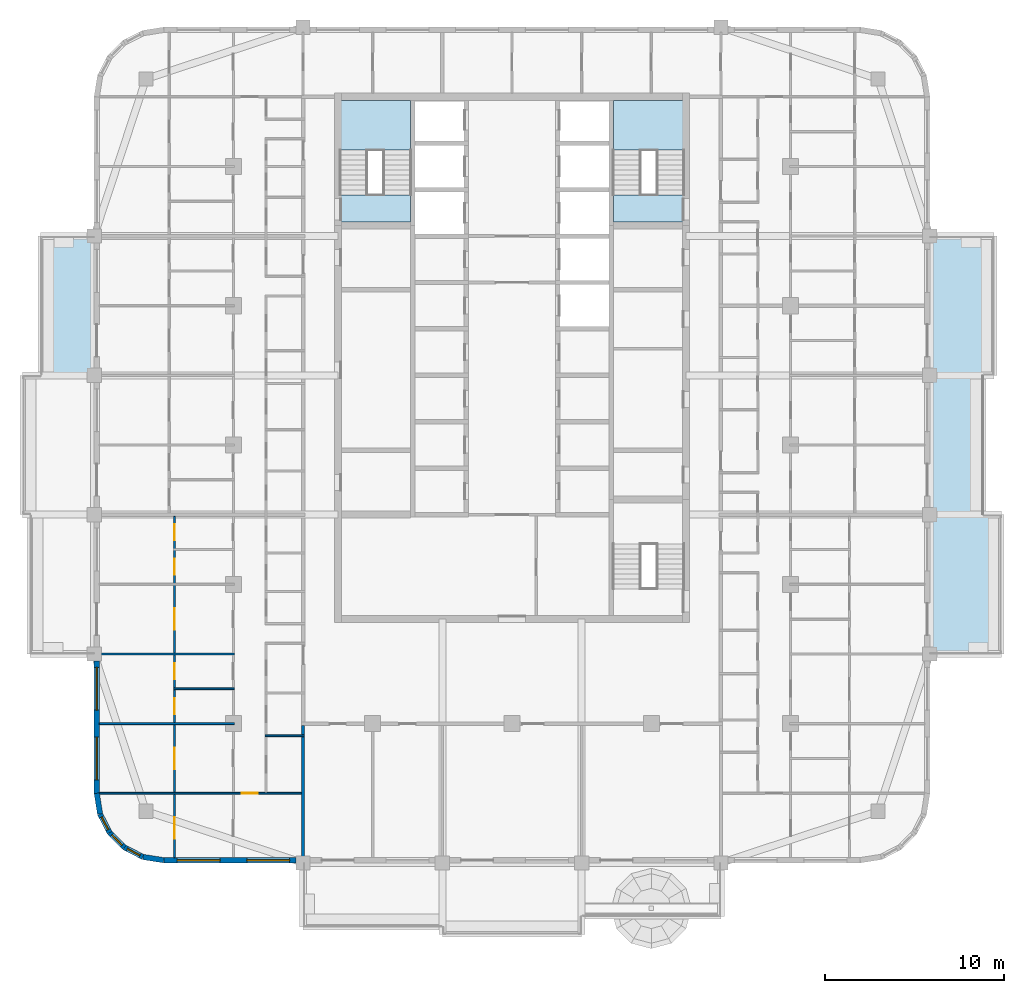
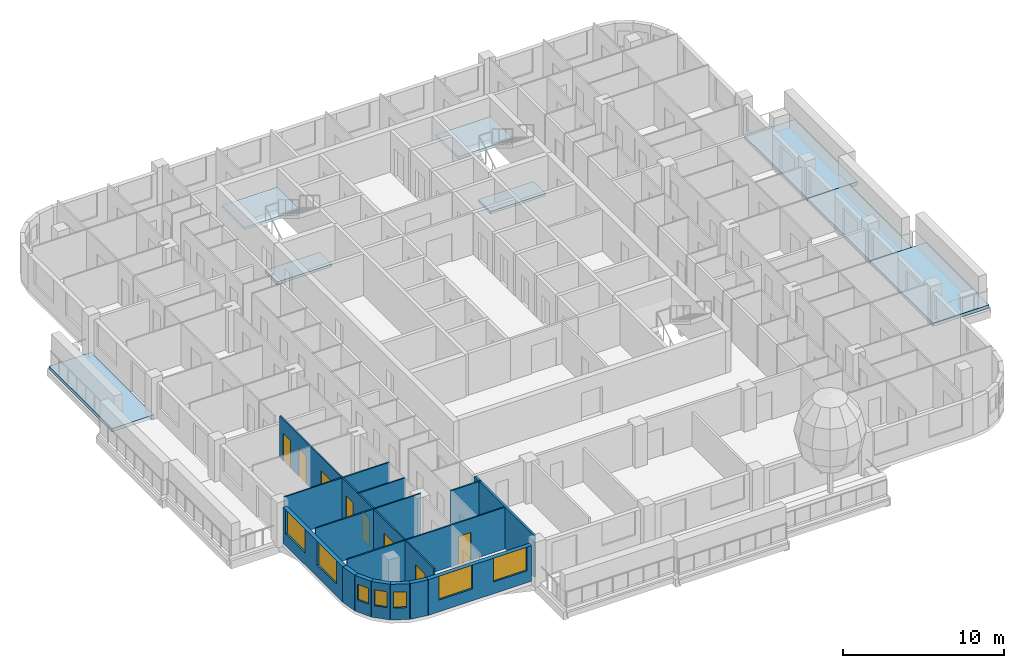
# One storey, part 2 of 17: 14 walls, 8 doors, 8 slabs, 7 windows, 15 openings, 2 elements without a shape of their own.
"""IFC4 building model written with IfcOpenShell, lengths in metres."""

import ifcopenshell
import ifcopenshell.guid

model = None  # the IFC model being written
_history = None  # IfcOwnerHistory: only IFC2X3 demands one
_inside = {}  # id of a spatial element -> (the spatial element, [elements in it])
_under = {}  # id of a project, library or spatial element -> (it, [spatial elements below it])
_declared = {}  # id of a project -> (the project, [libraries it declares])
_typed = {}  # id of a type object -> (the type object, [elements of that type])
_made_of = {}  # id of a material, layer set ... -> (it, [elements and type objects made of it])


def new_model(schema):
    """Start an empty IFC model of exactly this schema.

    Asked for "IFC4X3", IfcOpenShell would pick the latest addendum, in which some entities
    have other attributes; the version numbers below select the first issue.
    IFC2X3 requires an IfcOwnerHistory on every rooted entity: one is made here for all.
    """
    global model, _history
    if schema == "IFC4X3":
        model = ifcopenshell.file(schema_version=(4, 3, 0, 0))
    else:
        model = ifcopenshell.file(schema=schema)
    _inside.clear()
    _under.clear()
    _declared.clear()
    _typed.clear()
    _made_of.clear()
    _history = None
    if model.schema == "IFC2X3":
        org = make("IfcOrganization", Name="unknown")
        user = make(
            "IfcPersonAndOrganization",
            ThePerson=make("IfcPerson", FamilyName="unknown"),
            TheOrganization=org,
        )
        app = make(
            "IfcApplication",
            ApplicationDeveloper=org,
            Version="unknown",
            ApplicationFullName="unknown",
            ApplicationIdentifier="unknown",
        )
        _history = make(
            "IfcOwnerHistory",
            OwningUser=user,
            OwningApplication=app,
            ChangeAction="ADDED",
            CreationDate=0,
        )
    return model


def make(cls, **values):
    """One entity of the class cls with the attributes given. An attribute that is None is left unset."""
    return model.create_entity(
        cls, **{name: value for name, value in values.items() if value is not None}
    )


def rooted(cls, **values):
    """An entity with a GlobalId (a new one), such as an element, a storey or a relation."""
    return make(cls, GlobalId=ifcopenshell.guid.new(), OwnerHistory=_history, **values)


def si_unit(unit_type, name, prefix=None):
    """IfcSIUnit, for example si_unit("LENGTHUNIT", "METRE", prefix="MILLI")."""
    return make("IfcSIUnit", UnitType=unit_type, Prefix=prefix, Name=name)


def assignment(units):
    """IfcUnitAssignment: the units of a project."""
    return None if units is None else make("IfcUnitAssignment", Units=units)


def point(xyz):
    """IfcCartesianPoint."""
    return None if xyz is None else make("IfcCartesianPoint", Coordinates=xyz)


def direction(xyz):
    """IfcDirection."""
    return None if xyz is None else make("IfcDirection", DirectionRatios=xyz)


def frame(location, z_axis=None, x_axis=None):
    """IfcAxis2Placement3D, a coordinate frame: its origin and axes. An axis left out is left unset."""
    return make(
        "IfcAxis2Placement3D",
        Location=point(location),
        Axis=direction(z_axis),
        RefDirection=direction(x_axis),
    )


def frame_2d(location, x_axis=None):
    """IfcAxis2Placement2D, a coordinate frame in the plane: its origin and x axis."""
    return make(
        "IfcAxis2Placement2D", Location=point(location), RefDirection=direction(x_axis)
    )


def origin():
    """The frame at (0, 0, 0) with its axes left unset."""
    return frame((0.0, 0.0, 0.0))


def place(relative_to, where):
    """IfcLocalPlacement: puts the frame where relative to a parent placement (None: the world)."""
    return make(
        "IfcLocalPlacement", PlacementRelTo=relative_to, RelativePlacement=where
    )


def context(
    kind, dimensions, precision=None, world=None, true_north=None, identifier=None
):
    """IfcGeometricRepresentationContext, for example the 3D "Model" context."""
    return make(
        "IfcGeometricRepresentationContext",
        ContextIdentifier=identifier,
        ContextType=kind,
        CoordinateSpaceDimension=dimensions,
        Precision=precision,
        WorldCoordinateSystem=world,
        TrueNorth=true_north,
    )


def subcontext(parent, identifier, kind, view, scale=None):
    """IfcGeometricRepresentationSubContext, for example "Body" below "Model"."""
    return make(
        "IfcGeometricRepresentationSubContext",
        ContextIdentifier=identifier,
        ContextType=kind,
        ParentContext=parent,
        TargetScale=scale,
        TargetView=view,
    )


def project(units=None, contexts=None):
    """IfcProject with its units and contexts."""
    return rooted(
        "IfcProject",
        Name="project",
        RepresentationContexts=contexts,
        UnitsInContext=assignment(units),
    )


def spatial(cls, under=None, at=None, **own):
    """A site, building, storey or space (cls), placed at a placement, below another one or the project."""
    s = rooted(cls, ObjectPlacement=at, **own)
    if under is not None:
        _under.setdefault(under.id(), (under, []))[1].append(s)
    return s


def polyline(points):
    """IfcPolyline through the points."""
    return make("IfcPolyline", Points=[point(p) for p in points])


def profile(cls, at=None, kind="AREA", **sizes):
    """A parametric profile (cls). Its sizes go by their IFC names, for example OverallWidth=200.0."""
    return make(cls, ProfileType=kind, Position=at, **sizes)


def rectangle(**sizes):
    """IfcRectangleProfileDef."""
    return profile("IfcRectangleProfileDef", **sizes)


def outline(outer, holes=None, kind="AREA"):
    """IfcArbitraryClosedProfileDef: a profile drawn as a closed curve; with holes, ...WithVoids."""
    if holes is None:
        return make("IfcArbitraryClosedProfileDef", ProfileType=kind, OuterCurve=outer)
    return make(
        "IfcArbitraryProfileDefWithVoids",
        ProfileType=kind,
        OuterCurve=outer,
        InnerCurves=holes,
    )


def extrude(swept, where, along, depth):
    """IfcExtrudedAreaSolid: the profile swept, set in the frame where, extruded along a direction by depth."""
    return make(
        "IfcExtrudedAreaSolid",
        SweptArea=swept,
        Position=where,
        ExtrudedDirection=direction(along),
        Depth=depth,
    )


def shape(context_of_items, identifier, shape_type, items):
    """IfcShapeRepresentation: the items that make up one representation, for example the "Body"."""
    return make(
        "IfcShapeRepresentation",
        ContextOfItems=context_of_items,
        RepresentationIdentifier=identifier,
        RepresentationType=shape_type,
        Items=items,
    )


def material(Name=None, Category=None):
    """IfcMaterial."""
    return make("IfcMaterial", Name=Name, Category=Category)


def layer(
    of_material, thickness, ventilated=None, Name=None, Category=None, Priority=None
):
    """IfcMaterialLayer: one layer of a wall or slab, of a material (None: an air gap)."""
    return make(
        "IfcMaterialLayer",
        Material=of_material,
        LayerThickness=thickness,
        IsVentilated=ventilated,
        Name=Name,
        Category=Category,
        Priority=Priority,
    )


def layer_set(layers, Name=None):
    """IfcMaterialLayerSet."""
    return make("IfcMaterialLayerSet", MaterialLayers=layers, LayerSetName=Name)


def made_of(thing, what):
    """Note that an element or type object is made of a material, layer set ...; save() writes the relation."""
    if what is not None:
        _made_of.setdefault(what.id(), (what, []))[1].append(thing)
    return thing


def type_object(cls, material=None, **own):
    """A type object (cls), such as IfcWallType, which elements share."""
    return made_of(rooted(cls, **own), material)


def element(
    cls,
    number,
    at=None,
    inside=None,
    cuts=None,
    type_object=None,
    material=None,
    context=None,
    identifier="Body",
    shape_type=None,
    held_by="IfcProductDefinitionShape",
    body=None,
    shapes=None,
    **own,
):
    """One element of the class cls, such as IfcWall. Its Tag is "e" and its number.

    at: its placement. inside: the storey or other place that contains it. cuts: it is an
    opening in that element (IfcRelVoidsElement). A single representation is given by context,
    identifier, shape_type and body (its items); several are given by shapes. held_by: the class
    of the entity that holds the representations. save() writes the other relations.
    """
    e = rooted(cls, Tag="e%d" % number, ObjectPlacement=at, **own)
    if body is not None:
        shapes = [shape(context, identifier, shape_type, body)]
    if shapes is not None:
        e.Representation = make(held_by, Representations=shapes)
    if inside is not None:
        _inside.setdefault(inside.id(), (inside, []))[1].append(e)
    if cuts is not None:
        rooted(
            "IfcRelVoidsElement", RelatingBuildingElement=cuts, RelatedOpeningElement=e
        )
    if type_object is not None:
        _typed.setdefault(type_object.id(), (type_object, []))[1].append(e)
    return made_of(e, material)


def fill(opening, filler):
    """IfcRelFillsElement: the door or window that sits in an opening."""
    return rooted(
        "IfcRelFillsElement",
        RelatingOpeningElement=opening,
        RelatedBuildingElement=filler,
    )


def aggregate(whole, parts):
    """IfcRelAggregates: a whole, such as a stair, and the parts it consists of."""
    return rooted("IfcRelAggregates", RelatingObject=whole, RelatedObjects=parts)


def save(model, path):
    """Write the relations noted so far, then the file.

    IfcRelAggregates (storeys below a building ...), IfcRelContainedInSpatialStructure (elements
    in a storey), IfcRelDefinesByType, IfcRelAssociatesMaterial and IfcRelDeclares: one each for
    every whole, place, type object, material and project.
    """
    for whole, parts in _under.values():
        aggregate(whole, parts)
    for where, things in _inside.values():
        rooted(
            "IfcRelContainedInSpatialStructure",
            RelatedElements=things,
            RelatingStructure=where,
        )
    for kind, things in _typed.values():
        rooted("IfcRelDefinesByType", RelatedObjects=things, RelatingType=kind)
    for what, things in _made_of.values():
        rooted("IfcRelAssociatesMaterial", RelatedObjects=things, RelatingMaterial=what)
    for by, libraries in _declared.values():
        rooted("IfcRelDeclares", RelatingContext=by, RelatedDefinitions=libraries)
    model.write(path)


model = new_model("IFC4")

# Units and contexts
model_context = context("Model", 3, precision=1e-05, world=origin(), true_north=direction((0.0, 1.0)))
body_context = subcontext(model_context, "Body", "Model", "MODEL_VIEW")
ifc_project = project(units=[si_unit("LENGTHUNIT", "METRE"), si_unit("AREAUNIT", "SQUARE_METRE"), si_unit("VOLUMEUNIT", "CUBIC_METRE"), si_unit("PLANEANGLEUNIT", "RADIAN"), si_unit("MASSUNIT", "GRAM", prefix="KILO")], contexts=[model_context])

# Site, building, storey
site_placement = place(None, origin())
site = spatial("IfcSite", under=ifc_project, at=site_placement, CompositionType="ELEMENT")
building_placement = place(site_placement, origin())
building = spatial("IfcBuilding", under=site, at=building_placement, Name="Ludao Terraces", CompositionType="ELEMENT")
storey_placement = place(building_placement, frame((0.0, 0.0, 210.89990234375)))
storey = spatial("IfcBuildingStorey", under=building, at=storey_placement, Name="L57", CompositionType="ELEMENT", Elevation=210.89990234375)

# Slabs
ifc_material_1 = material(Name="Concrete C40", Category="concrete")
ifc_layer_1 = layer(ifc_material_1, 0.25)
ifc_layer_set_1 = layer_set([ifc_layer_1], Name="Balcony slab 250 C40")
slab_type_1 = type_object("IfcSlabType", Name="Balcony slab 250 C40", PredefinedType="USERDEFINED", material=ifc_layer_set_1)
slab_1_placement = place(storey_placement, frame((0.0, 0.0, -0.25)))
element("IfcSlab", 1, at=slab_1_placement, inside=storey, type_object=slab_type_1, Name="Balcony L57 E1", ObjectType="BALCONY", PredefinedType="USERDEFINED", context=body_context, shape_type="SweptSolid", body=[
    extrude(outline(polyline([(108.39990234375, 53.300048828125), (112.39990234375, 53.300048828125), (112.39990234375, 61.10009765625), (108.39990234375, 61.10009765625), (108.39990234375, 53.300048828125)])), origin(), (0.0, 0.0, 1.0), 0.25),
])
slab_2_placement = place(storey_placement, frame((0.0, 0.0, -0.25)))
element("IfcSlab", 2, at=slab_2_placement, inside=storey, type_object=slab_type_1, Name="Balcony L57 E2", ObjectType="BALCONY", PredefinedType="USERDEFINED", context=body_context, shape_type="SweptSolid", body=[
    extrude(outline(polyline([(108.39990234375, 61.10009765625), (111.39990234375, 61.10009765625), (111.39990234375, 68.89990234375), (108.39990234375, 68.89990234375), (108.39990234375, 61.10009765625)])), origin(), (0.0, 0.0, 1.0), 0.25),
])
slab_3_placement = place(storey_placement, frame((0.0, 0.0, -0.25)))
element("IfcSlab", 3, at=slab_3_placement, inside=storey, type_object=slab_type_1, Name="Balcony L57 E3", ObjectType="BALCONY", PredefinedType="USERDEFINED", context=body_context, shape_type="SweptSolid", body=[
    extrude(outline(polyline([(108.39990234375, 68.89990234375), (112.0, 68.89990234375), (112.0, 76.699951171875), (108.39990234375, 76.699951171875), (108.39990234375, 68.89990234375)])), origin(), (0.0, 0.0, 1.0), 0.25),
])
slab_4_placement = place(storey_placement, frame((0.0, 0.0, -0.25)))
element("IfcSlab", 4, at=slab_4_placement, inside=storey, type_object=slab_type_1, Name="Balcony L57 W3", ObjectType="BALCONY", PredefinedType="USERDEFINED", context=body_context, shape_type="SweptSolid", body=[
    extrude(outline(polyline([(58.60009765625, 68.89990234375), (61.60009765625, 68.89990234375), (61.60009765625, 76.699951171875), (58.60009765625, 76.699951171875), (58.60009765625, 68.89990234375)])), origin(), (0.0, 0.0, 1.0), 0.25),
])

# Stair, slabs
stair_type = type_object("IfcStairType", Name="INT Stair", PredefinedType="HALF_TURN_STAIR", material=ifc_material_1)
stair_1_placement = place(storey_placement, origin())
stair_1 = element("IfcStair", 5, at=stair_1_placement, inside=storey, type_object=stair_type, Name="EXIT STAIR 1", PredefinedType="HALF_TURN_STAIR")
ifc_layer_2 = layer(ifc_material_1, 0.199951171875)
ifc_layer_set_2 = layer_set([ifc_layer_2], Name="INT Stair landing 200")
slab_type_2 = type_object("IfcSlabType", Name="INT Stair landing 200", PredefinedType="LANDING", material=ifc_layer_set_2)
slab_5_placement = place(storey_placement, frame((0.0, 0.0, 1.5)))
slab_5 = element("IfcSlab", 6, at=slab_5_placement, type_object=slab_type_2, Name="ST1 landing 1", PredefinedType="LANDING", context=body_context, shape_type="SweptSolid", body=[
    extrude(outline(polyline([(75.375, 81.52001953125), (79.324951171875, 81.52001953125), (79.324951171875, 84.300048828125), (75.375, 84.300048828125), (75.375, 81.52001953125)])), origin(), (0.0, 0.0, 1.0), 0.2001953125),
])
slab_6_placement = place(storey_placement, frame((0.0, 0.0, -0.199951171875)))
slab_6 = element("IfcSlab", 7, at=slab_6_placement, type_object=slab_type_2, Name="ST1 landing 2", PredefinedType="LANDING", context=body_context, shape_type="SweptSolid", body=[
    extrude(outline(polyline([(75.375, 77.5), (79.324951171875, 77.5), (79.324951171875, 79.0), (75.375, 79.0), (75.375, 77.5)])), origin(), (0.0, 0.0, 1.0), 0.199951171875),
])
aggregate(stair_1, [slab_5, slab_6])

stair_2_placement = place(storey_placement, origin())
stair_2 = element("IfcStair", 8, at=stair_2_placement, inside=storey, type_object=stair_type, Name="EXIT STAIR 2", PredefinedType="HALF_TURN_STAIR")
slab_7_placement = place(storey_placement, frame((0.0, 0.0, 1.5)))
slab_7 = element("IfcSlab", 9, at=slab_7_placement, type_object=slab_type_2, Name="ST2 landing 1", PredefinedType="LANDING", context=body_context, shape_type="SweptSolid", body=[
    extrude(outline(polyline([(90.675048828125, 81.52001953125), (94.625, 81.52001953125), (94.625, 84.300048828125), (90.675048828125, 84.300048828125), (90.675048828125, 81.52001953125)])), origin(), (0.0, 0.0, 1.0), 0.2001953125),
])
slab_8_placement = place(storey_placement, frame((0.0, 0.0, -0.199951171875)))
slab_8 = element("IfcSlab", 10, at=slab_8_placement, type_object=slab_type_2, Name="ST2 landing 2", PredefinedType="LANDING", context=body_context, shape_type="SweptSolid", body=[
    extrude(outline(polyline([(90.675048828125, 77.5), (94.625, 77.5), (94.625, 79.0), (90.675048828125, 79.0), (90.675048828125, 77.5)])), origin(), (0.0, 0.0, 1.0), 0.199951171875),
])
aggregate(stair_2, [slab_7, slab_8])

# Wall, openings, windows
ifc_material_2 = material(Name="Granite cladding", Category="masonry")
ifc_layer_3 = layer(ifc_material_2, 0.0400390625, Category="stone")
ifc_material_3 = material(Name="Mineral wool")
ifc_layer_4 = layer(ifc_material_3, 0.06005859375)
ifc_layer_5 = layer(ifc_material_1, 0.199951171875, Category="concrete")
ifc_layer_set_3 = layer_set([ifc_layer_3, ifc_layer_4, ifc_layer_5], Name="ENV Stone-clad wall 300")
wall_type_1 = type_object("IfcWallType", Name="ENV Stone-clad wall 300", PredefinedType="SOLIDWALL", material=ifc_layer_set_3)
wall_1_placement = place(storey_placement, frame((65.5, 41.75, 0.0), z_axis=(0.0, 0.0, 1.0), x_axis=(1.0, 0.0, 0.0)))
wall_1 = element("IfcWall", 11, at=wall_1_placement, inside=storey, type_object=wall_type_1, Name="EW-L57-S1", PredefinedType="SOLIDWALL", context=body_context, shape_type="SweptSolid", body=[
    extrude(rectangle(XDim=7.39990234375, YDim=0.300048828125, at=frame_2d((3.699951171875, 0.0))), origin(), (0.0, 0.0, 1.0), 2.7001953125),
])
opening_1_placement = place(wall_1_placement, frame((0.75, 0.0, 0.89990234375)))
opening_1 = element("IfcOpeningElement", 12, at=opening_1_placement, cuts=wall_1, Name="Opening W1", PredefinedType="OPENING", context=body_context, shape_type="SweptSolid", body=[
    extrude(rectangle(XDim=2.39990234375, YDim=1.800048828125, at=frame_2d((1.199951171875, 0.89990234375))), frame((0.0, 0.16015625, 0.0), z_axis=(0.0, -1.0, 0.0), x_axis=(1.0, 0.0, 0.0)), (0.0, 0.0, 1.0), 0.320068359375),
])
opening_2_placement = place(wall_1_placement, frame((4.64990234375, 0.0, 0.89990234375)))
opening_2 = element("IfcOpeningElement", 13, at=opening_2_placement, cuts=wall_1, Name="Opening W1", PredefinedType="OPENING", context=body_context, shape_type="SweptSolid", body=[
    extrude(rectangle(XDim=2.39990234375, YDim=1.800048828125, at=frame_2d((1.199951171875, 0.89990234375))), frame((0.0, 0.16015625, 0.0), z_axis=(0.0, -1.0, 0.0), x_axis=(1.0, 0.0, 0.0)), (0.0, 0.0, 1.0), 0.320068359375),
])
ifc_material_4 = material(Name="Clear glass in aluminium frame", Category="aluminium")
ifc_layer_6 = layer(ifc_material_4, 0.06005859375)
ifc_layer_set_4 = layer_set([ifc_layer_6], Name="ENV Window W1 2400x1800")
window_type_1 = type_object("IfcWindowType", Name="ENV Window W1 2400x1800", PartitioningType="DOUBLE_PANEL_VERTICAL", PredefinedType="WINDOW", material=ifc_layer_set_4)
window_1_placement = place(opening_1_placement, origin())
window_1 = element("IfcWindow", 14, at=window_1_placement, inside=storey, type_object=window_type_1, Name="W-L57-S1-1", OverallHeight=1.800048828125, OverallWidth=2.39990234375, PartitioningType="DOUBLE_PANEL_VERTICAL", PredefinedType="WINDOW", context=body_context, shape_type="SweptSolid", body=[
    extrude(rectangle(XDim=2.39990234375, YDim=1.800048828125, at=frame_2d((1.199951171875, 0.89990234375))), frame((0.0, 0.030029296875, 0.0), z_axis=(0.0, -1.0, 0.0), x_axis=(1.0, 0.0, 0.0)), (0.0, 0.0, 1.0), 0.06005859375),
])
fill(opening_1, window_1)
window_2_placement = place(opening_2_placement, origin())
window_2 = element("IfcWindow", 15, at=window_2_placement, inside=storey, type_object=window_type_1, Name="W-L57-S1-2", OverallHeight=1.800048828125, OverallWidth=2.39990234375, PartitioningType="DOUBLE_PANEL_VERTICAL", PredefinedType="WINDOW", context=body_context, shape_type="SweptSolid", body=[
    extrude(rectangle(XDim=2.39990234375, YDim=1.800048828125, at=frame_2d((1.199951171875, 0.89990234375))), frame((0.0, 0.030029296875, 0.0), z_axis=(0.0, -1.0, 0.0), x_axis=(1.0, 0.0, 0.0)), (0.0, 0.0, 1.0), 0.06005859375),
])
fill(opening_2, window_2)

wall_2_placement = place(storey_placement, frame((61.75, 45.5, 0.0), z_axis=(0.0, 0.0, 1.0), x_axis=(0.0, 1.0, 0.0)))
wall_2 = element("IfcWall", 16, at=wall_2_placement, inside=storey, type_object=wall_type_1, Name="EW-L57-W1", PredefinedType="SOLIDWALL", context=body_context, shape_type="SweptSolid", body=[
    extrude(rectangle(XDim=7.39990234375, YDim=0.300048828125, at=frame_2d((3.699951171875, 0.0))), origin(), (0.0, 0.0, 1.0), 2.7001953125),
])
opening_3_placement = place(wall_2_placement, frame((0.75, 0.0, 0.89990234375)))
opening_3 = element("IfcOpeningElement", 17, at=opening_3_placement, cuts=wall_2, Name="Opening W1", PredefinedType="OPENING", context=body_context, shape_type="SweptSolid", body=[
    extrude(rectangle(XDim=2.39990234375, YDim=1.800048828125, at=frame_2d((1.199951171875, 0.89990234375))), frame((0.0, 0.16015625, 0.0), z_axis=(0.0, -1.0, 0.0), x_axis=(1.0, 0.0, 0.0)), (0.0, 0.0, 1.0), 0.320068359375),
])
opening_4_placement = place(wall_2_placement, frame((4.64990234375, 0.0, 0.89990234375)))
opening_4 = element("IfcOpeningElement", 18, at=opening_4_placement, cuts=wall_2, Name="Opening W1", PredefinedType="OPENING", context=body_context, shape_type="SweptSolid", body=[
    extrude(rectangle(XDim=2.39990234375, YDim=1.800048828125, at=frame_2d((1.199951171875, 0.89990234375))), frame((0.0, 0.16015625, 0.0), z_axis=(0.0, -1.0, 0.0), x_axis=(1.0, 0.0, 0.0)), (0.0, 0.0, 1.0), 0.320068359375),
])
window_3_placement = place(opening_3_placement, origin())
window_3 = element("IfcWindow", 19, at=window_3_placement, inside=storey, type_object=window_type_1, Name="W-L57-W1-1", OverallHeight=1.800048828125, OverallWidth=2.39990234375, PartitioningType="DOUBLE_PANEL_VERTICAL", PredefinedType="WINDOW", context=body_context, shape_type="SweptSolid", body=[
    extrude(rectangle(XDim=2.39990234375, YDim=1.800048828125, at=frame_2d((1.199951171875, 0.89990234375))), frame((0.0, 0.030029296875, 0.0), z_axis=(0.0, -1.0, 0.0), x_axis=(1.0, 0.0, 0.0)), (0.0, 0.0, 1.0), 0.06005859375),
])
fill(opening_3, window_3)
window_4_placement = place(opening_4_placement, origin())
window_4 = element("IfcWindow", 20, at=window_4_placement, inside=storey, type_object=window_type_1, Name="W-L57-W1-2", OverallHeight=1.800048828125, OverallWidth=2.39990234375, PartitioningType="DOUBLE_PANEL_VERTICAL", PredefinedType="WINDOW", context=body_context, shape_type="SweptSolid", body=[
    extrude(rectangle(XDim=2.39990234375, YDim=1.800048828125, at=frame_2d((1.199951171875, 0.89990234375))), frame((0.0, 0.030029296875, 0.0), z_axis=(0.0, -1.0, 0.0), x_axis=(1.0, 0.0, 0.0)), (0.0, 0.0, 1.0), 0.06005859375),
])
fill(opening_4, window_4)

# Wall
wall_3_placement = place(storey_placement, frame((61.75, 45.5, 0.0), z_axis=(0.0, 0.0, 1.0), x_axis=(0.156496880861, -0.987678452879, 0.0)))
element("IfcWall", 21, at=wall_3_placement, inside=storey, type_object=wall_type_1, Name="EW-L57-SW1", PredefinedType="SOLIDWALL", context=body_context, shape_type="SweptSolid", body=[
    extrude(rectangle(XDim=1.173095703125, YDim=0.300048828125, at=frame_2d((0.58642578125, 0.0))), origin(), (0.0, 0.0, 1.0), 2.7001953125),
])

# Wall, opening, window
wall_4_placement = place(storey_placement, frame((61.93359375, 44.34130859375, 0.0), z_axis=(0.0, 0.0, 1.0), x_axis=(0.454025524128, -0.890988677504, 0.0)))
wall_4 = element("IfcWall", 22, at=wall_4_placement, inside=storey, type_object=wall_type_1, Name="EW-L57-SW2", PredefinedType="SOLIDWALL", context=body_context, shape_type="SweptSolid", body=[
    extrude(rectangle(XDim=1.17333984375, YDim=0.300048828125, at=frame_2d((0.586669921875, 0.0))), origin(), (0.0, 0.0, 1.0), 2.7001953125),
])
opening_5_placement = place(wall_4_placement, frame((0.1865234375, 0.0, 0.89990234375)))
opening_5 = element("IfcOpeningElement", 23, at=opening_5_placement, cuts=wall_4, Name="Opening W3", PredefinedType="OPENING", context=body_context, shape_type="SweptSolid", body=[
    extrude(rectangle(XDim=0.800048828125, YDim=1.199951171875, at=frame_2d((0.39990234375, 0.60009765625))), frame((0.0, 0.16015625, 0.0), z_axis=(0.0, -1.0, 0.0), x_axis=(1.0, 0.0, 0.0)), (0.0, 0.0, 1.0), 0.320068359375),
])
ifc_layer_7 = layer(ifc_material_4, 0.06005859375)
ifc_layer_set_5 = layer_set([ifc_layer_7], Name="ENV Window W3 800x1200")
window_type_2 = type_object("IfcWindowType", Name="ENV Window W3 800x1200", PartitioningType="SINGLE_PANEL", PredefinedType="WINDOW", material=ifc_layer_set_5)
window_5_placement = place(opening_5_placement, origin())
window_5 = element("IfcWindow", 24, at=window_5_placement, inside=storey, type_object=window_type_2, Name="W-L57-SW2", OverallHeight=1.199951171875, OverallWidth=0.800048828125, PartitioningType="SINGLE_PANEL", PredefinedType="WINDOW", context=body_context, shape_type="SweptSolid", body=[
    extrude(rectangle(XDim=0.800048828125, YDim=1.199951171875, at=frame_2d((0.39990234375, 0.60009765625))), frame((0.0, 0.030029296875, 0.0), z_axis=(0.0, -1.0, 0.0), x_axis=(1.0, 0.0, 0.0)), (0.0, 0.0, 1.0), 0.06005859375),
])
fill(opening_5, window_5)

wall_5_placement = place(storey_placement, frame((62.46630859375, 43.2958984375, 0.0), z_axis=(0.0, 0.0, 1.0), x_axis=(0.707106781187, -0.707106781187, 0.0)))
wall_5 = element("IfcWall", 25, at=wall_5_placement, inside=storey, type_object=wall_type_1, Name="EW-L57-SW3", PredefinedType="SOLIDWALL", context=body_context, shape_type="SweptSolid", body=[
    extrude(rectangle(XDim=1.173095703125, YDim=0.300048828125, at=frame_2d((0.58642578125, 0.0))), origin(), (0.0, 0.0, 1.0), 2.7001953125),
])
opening_6_placement = place(wall_5_placement, frame((0.1865234375, 0.0, 0.89990234375)))
opening_6 = element("IfcOpeningElement", 26, at=opening_6_placement, cuts=wall_5, Name="Opening W3", PredefinedType="OPENING", context=body_context, shape_type="SweptSolid", body=[
    extrude(rectangle(XDim=0.800048828125, YDim=1.199951171875, at=frame_2d((0.39990234375, 0.60009765625))), frame((0.0, 0.16015625, 0.0), z_axis=(0.0, -1.0, 0.0), x_axis=(1.0, 0.0, 0.0)), (0.0, 0.0, 1.0), 0.320068359375),
])
window_6_placement = place(opening_6_placement, origin())
window_6 = element("IfcWindow", 27, at=window_6_placement, inside=storey, type_object=window_type_2, Name="W-L57-SW3", OverallHeight=1.199951171875, OverallWidth=0.800048828125, PartitioningType="SINGLE_PANEL", PredefinedType="WINDOW", context=body_context, shape_type="SweptSolid", body=[
    extrude(rectangle(XDim=0.800048828125, YDim=1.199951171875, at=frame_2d((0.39990234375, 0.60009765625))), frame((0.0, 0.030029296875, 0.0), z_axis=(0.0, -1.0, 0.0), x_axis=(1.0, 0.0, 0.0)), (0.0, 0.0, 1.0), 0.06005859375),
])
fill(opening_6, window_6)

wall_6_placement = place(storey_placement, frame((63.2958984375, 42.46630859375, 0.0), z_axis=(0.0, 0.0, 1.0), x_axis=(0.890988677504, -0.454025524128, 0.0)))
wall_6 = element("IfcWall", 28, at=wall_6_placement, inside=storey, type_object=wall_type_1, Name="EW-L57-SW4", PredefinedType="SOLIDWALL", context=body_context, shape_type="SweptSolid", body=[
    extrude(rectangle(XDim=1.17333984375, YDim=0.300048828125, at=frame_2d((0.586669921875, 0.0))), origin(), (0.0, 0.0, 1.0), 2.7001953125),
])
opening_7_placement = place(wall_6_placement, frame((0.1865234375, 0.0, 0.89990234375)))
opening_7 = element("IfcOpeningElement", 29, at=opening_7_placement, cuts=wall_6, Name="Opening W3", PredefinedType="OPENING", context=body_context, shape_type="SweptSolid", body=[
    extrude(rectangle(XDim=0.800048828125, YDim=1.199951171875, at=frame_2d((0.39990234375, 0.60009765625))), frame((0.0, 0.16015625, 0.0), z_axis=(0.0, -1.0, 0.0), x_axis=(1.0, 0.0, 0.0)), (0.0, 0.0, 1.0), 0.320068359375),
])
window_7_placement = place(opening_7_placement, origin())
window_7 = element("IfcWindow", 30, at=window_7_placement, inside=storey, type_object=window_type_2, Name="W-L57-SW4", OverallHeight=1.199951171875, OverallWidth=0.800048828125, PartitioningType="SINGLE_PANEL", PredefinedType="WINDOW", context=body_context, shape_type="SweptSolid", body=[
    extrude(rectangle(XDim=0.800048828125, YDim=1.199951171875, at=frame_2d((0.39990234375, 0.60009765625))), frame((0.0, 0.030029296875, 0.0), z_axis=(0.0, -1.0, 0.0), x_axis=(1.0, 0.0, 0.0)), (0.0, 0.0, 1.0), 0.06005859375),
])
fill(opening_7, window_7)

# Wall
wall_7_placement = place(storey_placement, frame((64.34130859375, 41.93359375, 0.0), z_axis=(0.0, 0.0, 1.0), x_axis=(0.987678452879, -0.156496880861, 0.0)))
element("IfcWall", 31, at=wall_7_placement, inside=storey, type_object=wall_type_1, Name="EW-L57-SW5", PredefinedType="SOLIDWALL", context=body_context, shape_type="SweptSolid", body=[
    extrude(rectangle(XDim=1.173095703125, YDim=0.300048828125, at=frame_2d((0.58642578125, 0.0))), origin(), (0.0, 0.0, 1.0), 2.7001953125),
])

# Wall, opening, door
ifc_material_5 = material(Name="Gypsum plasterboard", Category="gypsum")
ifc_layer_8 = layer(ifc_material_5, 0.012451171875, Category="gypsum")
ifc_layer_9 = layer(ifc_material_3, 0.06005859375, Name="insulation")
ifc_material_6 = material(Name="Steel Q235", Category="steel")
ifc_layer_10 = layer(ifc_material_6, 0.014892578125, Name="stud")
ifc_layer_11 = layer(ifc_material_5, 0.012451171875, Category="gypsum")
ifc_layer_set_6 = layer_set([ifc_layer_8, ifc_layer_9, ifc_layer_10, ifc_layer_11], Name="INT Partition 100")
wall_type_2 = type_object("IfcWallType", Name="INT Partition 100", PredefinedType="PARTITIONING", material=ifc_layer_set_6)
wall_8_placement = place(storey_placement, frame((61.900146484375, 45.5, 0.0), z_axis=(0.0, 0.0, 1.0), x_axis=(1.0, 0.0, 0.0)))
wall_8 = element("IfcWall", 32, at=wall_8_placement, inside=storey, type_object=wall_type_2, Name="PW-L57-PW000", PredefinedType="PARTITIONING", context=body_context, shape_type="SweptSolid", body=[
    extrude(rectangle(XDim=11.474853515625, YDim=0.10009765625, at=frame_2d((5.7373046875, 0.0))), origin(), (0.0, 0.0, 1.0), 3.150146484375),
])
opening_8_placement = place(wall_8_placement, frame((7.965087890625, 0.0, 0.0)))
opening_8 = element("IfcOpeningElement", 33, at=opening_8_placement, cuts=wall_8, Name="Opening R20-005", PredefinedType="OPENING", context=body_context, shape_type="SweptSolid", body=[
    extrude(rectangle(XDim=0.89990234375, YDim=2.10009765625, at=frame_2d((0.449951171875, 1.050048828125))), frame((0.0, 0.06005859375, 0.0), z_axis=(0.0, -1.0, 0.0), x_axis=(1.0, 0.0, 0.0)), (0.0, 0.0, 1.0), 0.1201171875),
])
ifc_material_7 = material(Name="Timber door leaf", Category="wood")
door_type_1 = type_object("IfcDoorType", Name="INT Room door 900", OperationType="SINGLE_SWING_LEFT", PredefinedType="DOOR", material=ifc_material_7)
door_1_placement = place(opening_8_placement, origin())
door_1 = element("IfcDoor", 34, at=door_1_placement, inside=storey, type_object=door_type_1, Name="DOOR 005", OperationType="SINGLE_SWING_LEFT", OverallHeight=2.10009765625, OverallWidth=0.89990234375, PredefinedType="DOOR", context=body_context, shape_type="SweptSolid", body=[
    extrude(rectangle(XDim=0.89990234375, YDim=2.10009765625, at=frame_2d((0.449951171875, 1.050048828125))), frame((0.0, 0.02490234375, 0.0), z_axis=(0.0, -1.0, 0.0), x_axis=(1.0, 0.0, 0.0)), (0.0, 0.0, 1.0), 0.050048828125),
])
fill(opening_8, door_1)

# Walls
wall_9_placement = place(storey_placement, frame((71.18017578125, 48.719970703125, 0.0), z_axis=(0.0, 0.0, 1.0), x_axis=(1.0, 0.0, 0.0)))
element("IfcWall", 35, at=wall_9_placement, inside=storey, type_object=wall_type_2, Name="PW-L57-PW004", PredefinedType="PARTITIONING", context=body_context, shape_type="SweptSolid", body=[
    extrude(rectangle(XDim=2.19482421875, YDim=0.10009765625, at=frame_2d((1.097412109375, 0.0))), origin(), (0.0, 0.0, 1.0), 3.150146484375),
])
wall_10_placement = place(storey_placement, frame((61.900146484375, 49.39990234375, 0.0), z_axis=(0.0, 0.0, 1.0), x_axis=(1.0, 0.0, 0.0)))
element("IfcWall", 36, at=wall_10_placement, inside=storey, type_object=wall_type_2, Name="PW-L57-PW005", PredefinedType="PARTITIONING", context=body_context, shape_type="SweptSolid", body=[
    extrude(rectangle(XDim=7.550048828125, YDim=0.10009765625, at=frame_2d((3.77490234375, 0.0))), origin(), (0.0, 0.0, 1.0), 3.150146484375),
])
wall_11_placement = place(storey_placement, frame((66.050048828125, 51.35009765625, 0.0), z_axis=(0.0, 0.0, 1.0), x_axis=(1.0, 0.0, 0.0)))
element("IfcWall", 37, at=wall_11_placement, inside=storey, type_object=wall_type_2, Name="PW-L57-PW010", PredefinedType="PARTITIONING", context=body_context, shape_type="SweptSolid", body=[
    extrude(rectangle(XDim=3.400146484375, YDim=0.10009765625, at=frame_2d((1.7001953125, 0.0))), origin(), (0.0, 0.0, 1.0), 3.150146484375),
])
wall_12_placement = place(storey_placement, frame((61.900146484375, 53.300048828125, 0.0), z_axis=(0.0, 0.0, 1.0), x_axis=(1.0, 0.0, 0.0)))
element("IfcWall", 38, at=wall_12_placement, inside=storey, type_object=wall_type_2, Name="PW-L57-PW012", PredefinedType="PARTITIONING", context=body_context, shape_type="SweptSolid", body=[
    extrude(rectangle(XDim=7.550048828125, YDim=0.10009765625, at=frame_2d((3.77490234375, 0.0))), origin(), (0.0, 0.0, 1.0), 3.150146484375),
])

# Wall, openings, doors
wall_13_placement = place(storey_placement, frame((66.10009765625, 41.900146484375, 0.0), z_axis=(0.0, 0.0, 1.0), x_axis=(0.0, 1.0, 0.0)))
wall_13 = element("IfcWall", 39, at=wall_13_placement, inside=storey, type_object=wall_type_2, Name="PW-L57-PW071", PredefinedType="PARTITIONING", context=body_context, shape_type="SweptSolid", body=[
    extrude(rectangle(XDim=19.099853515625, YDim=0.10009765625, at=frame_2d((9.5498046875, 0.0))), origin(), (0.0, 0.0, 1.0), 3.150146484375),
])
opening_9_placement = place(wall_13_placement, frame((1.050048828125, 0.0, 0.0)))
opening_9 = element("IfcOpeningElement", 40, at=opening_9_placement, cuts=wall_13, Name="Opening R20-001", PredefinedType="OPENING", context=body_context, shape_type="SweptSolid", body=[
    extrude(rectangle(XDim=1.199951171875, YDim=2.10009765625, at=frame_2d((0.60009765625, 1.050048828125))), frame((0.0, 0.06005859375, 0.0), z_axis=(0.0, -1.0, 0.0), x_axis=(1.0, 0.0, 0.0)), (0.0, 0.0, 1.0), 0.1201171875),
])
opening_10_placement = place(wall_13_placement, frame((4.949951171875, 0.0, 0.0)))
opening_10 = element("IfcOpeningElement", 41, at=opening_10_placement, cuts=wall_13, Name="Opening R20-010", PredefinedType="OPENING", context=body_context, shape_type="SweptSolid", body=[
    extrude(rectangle(XDim=1.199951171875, YDim=2.10009765625, at=frame_2d((0.60009765625, 1.050048828125))), frame((0.0, 0.06005859375, 0.0), z_axis=(0.0, -1.0, 0.0), x_axis=(1.0, 0.0, 0.0)), (0.0, 0.0, 1.0), 0.1201171875),
])
opening_11_placement = place(wall_13_placement, frame((8.02490234375, 0.0, 0.0)))
opening_11 = element("IfcOpeningElement", 42, at=opening_11_placement, cuts=wall_13, Name="Opening R20-020", PredefinedType="OPENING", context=body_context, shape_type="SweptSolid", body=[
    extrude(rectangle(XDim=0.89990234375, YDim=2.10009765625, at=frame_2d((0.449951171875, 1.050048828125))), frame((0.0, 0.06005859375, 0.0), z_axis=(0.0, -1.0, 0.0), x_axis=(1.0, 0.0, 0.0)), (0.0, 0.0, 1.0), 0.1201171875),
])
opening_12_placement = place(wall_13_placement, frame((9.97509765625, 0.0, 0.0)))
opening_12 = element("IfcOpeningElement", 43, at=opening_12_placement, cuts=wall_13, Name="Opening R20-024", PredefinedType="OPENING", context=body_context, shape_type="SweptSolid", body=[
    extrude(rectangle(XDim=0.89990234375, YDim=2.10009765625, at=frame_2d((0.449951171875, 1.050048828125))), frame((0.0, 0.06005859375, 0.0), z_axis=(0.0, -1.0, 0.0), x_axis=(1.0, 0.0, 0.0)), (0.0, 0.0, 1.0), 0.1201171875),
])
opening_13_placement = place(wall_13_placement, frame((12.75, 0.0, 0.0)))
opening_13 = element("IfcOpeningElement", 44, at=opening_13_placement, cuts=wall_13, Name="Opening R20-030", PredefinedType="OPENING", context=body_context, shape_type="SweptSolid", body=[
    extrude(rectangle(XDim=1.199951171875, YDim=2.10009765625, at=frame_2d((0.60009765625, 1.050048828125))), frame((0.0, 0.06005859375, 0.0), z_axis=(0.0, -1.0, 0.0), x_axis=(1.0, 0.0, 0.0)), (0.0, 0.0, 1.0), 0.1201171875),
])
opening_14_placement = place(wall_13_placement, frame((15.824951171875, 0.0, 0.0)))
opening_14 = element("IfcOpeningElement", 45, at=opening_14_placement, cuts=wall_13, Name="Opening R20-040", PredefinedType="OPENING", context=body_context, shape_type="SweptSolid", body=[
    extrude(rectangle(XDim=0.89990234375, YDim=2.10009765625, at=frame_2d((0.449951171875, 1.050048828125))), frame((0.0, 0.06005859375, 0.0), z_axis=(0.0, -1.0, 0.0), x_axis=(1.0, 0.0, 0.0)), (0.0, 0.0, 1.0), 0.1201171875),
])
opening_15_placement = place(wall_13_placement, frame((17.77490234375, 0.0, 0.0)))
opening_15 = element("IfcOpeningElement", 46, at=opening_15_placement, cuts=wall_13, Name="Opening R20-045", PredefinedType="OPENING", context=body_context, shape_type="SweptSolid", body=[
    extrude(rectangle(XDim=0.89990234375, YDim=2.10009765625, at=frame_2d((0.449951171875, 1.050048828125))), frame((0.0, 0.06005859375, 0.0), z_axis=(0.0, -1.0, 0.0), x_axis=(1.0, 0.0, 0.0)), (0.0, 0.0, 1.0), 0.1201171875),
])
door_type_2 = type_object("IfcDoorType", Name="INT Bathroom door 900", OperationType="SINGLE_SWING_LEFT", PredefinedType="DOOR", material=ifc_material_7)
door_2_placement = place(opening_11_placement, origin())
door_2 = element("IfcDoor", 47, at=door_2_placement, inside=storey, type_object=door_type_2, Name="DOOR 020", OperationType="SINGLE_SWING_RIGHT", OverallHeight=2.10009765625, OverallWidth=0.89990234375, PredefinedType="DOOR", context=body_context, shape_type="SweptSolid", body=[
    extrude(rectangle(XDim=0.89990234375, YDim=2.10009765625, at=frame_2d((0.449951171875, 1.050048828125))), frame((0.0, 0.02490234375, 0.0), z_axis=(0.0, -1.0, 0.0), x_axis=(1.0, 0.0, 0.0)), (0.0, 0.0, 1.0), 0.050048828125),
])
fill(opening_11, door_2)
door_3_placement = place(opening_14_placement, origin())
door_3 = element("IfcDoor", 48, at=door_3_placement, inside=storey, type_object=door_type_2, Name="DOOR 040", OperationType="SINGLE_SWING_RIGHT", OverallHeight=2.10009765625, OverallWidth=0.89990234375, PredefinedType="DOOR", context=body_context, shape_type="SweptSolid", body=[
    extrude(rectangle(XDim=0.89990234375, YDim=2.10009765625, at=frame_2d((0.449951171875, 1.050048828125))), frame((0.0, 0.02490234375, 0.0), z_axis=(0.0, -1.0, 0.0), x_axis=(1.0, 0.0, 0.0)), (0.0, 0.0, 1.0), 0.050048828125),
])
fill(opening_14, door_3)
door_type_3 = type_object("IfcDoorType", Name="INT Double door 1200", OperationType="DOUBLE_DOOR_SINGLE_SWING", PredefinedType="DOOR", material=ifc_material_7)
door_4_placement = place(opening_9_placement, origin())
door_4 = element("IfcDoor", 49, at=door_4_placement, inside=storey, type_object=door_type_3, Name="DOOR 001", OperationType="DOUBLE_DOOR_SINGLE_SWING", OverallHeight=2.10009765625, OverallWidth=1.199951171875, PredefinedType="DOOR", context=body_context, shape_type="SweptSolid", body=[
    extrude(rectangle(XDim=1.199951171875, YDim=2.10009765625, at=frame_2d((0.60009765625, 1.050048828125))), frame((0.0, 0.02490234375, 0.0), z_axis=(0.0, -1.0, 0.0), x_axis=(1.0, 0.0, 0.0)), (0.0, 0.0, 1.0), 0.050048828125),
])
fill(opening_9, door_4)
door_5_placement = place(opening_10_placement, origin())
door_5 = element("IfcDoor", 50, at=door_5_placement, inside=storey, type_object=door_type_3, Name="DOOR 010", OperationType="DOUBLE_DOOR_SINGLE_SWING", OverallHeight=2.10009765625, OverallWidth=1.199951171875, PredefinedType="DOOR", context=body_context, shape_type="SweptSolid", body=[
    extrude(rectangle(XDim=1.199951171875, YDim=2.10009765625, at=frame_2d((0.60009765625, 1.050048828125))), frame((0.0, 0.02490234375, 0.0), z_axis=(0.0, -1.0, 0.0), x_axis=(1.0, 0.0, 0.0)), (0.0, 0.0, 1.0), 0.050048828125),
])
fill(opening_10, door_5)
door_6_placement = place(opening_13_placement, origin())
door_6 = element("IfcDoor", 51, at=door_6_placement, inside=storey, type_object=door_type_3, Name="DOOR 030", OperationType="DOUBLE_DOOR_SINGLE_SWING", OverallHeight=2.10009765625, OverallWidth=1.199951171875, PredefinedType="DOOR", context=body_context, shape_type="SweptSolid", body=[
    extrude(rectangle(XDim=1.199951171875, YDim=2.10009765625, at=frame_2d((0.60009765625, 1.050048828125))), frame((0.0, 0.02490234375, 0.0), z_axis=(0.0, -1.0, 0.0), x_axis=(1.0, 0.0, 0.0)), (0.0, 0.0, 1.0), 0.050048828125),
])
fill(opening_13, door_6)
door_7_placement = place(opening_12_placement, origin())
door_7 = element("IfcDoor", 52, at=door_7_placement, inside=storey, type_object=door_type_1, Name="DOOR 024", OperationType="SINGLE_SWING_LEFT", OverallHeight=2.10009765625, OverallWidth=0.89990234375, PredefinedType="DOOR", context=body_context, shape_type="SweptSolid", body=[
    extrude(rectangle(XDim=0.89990234375, YDim=2.10009765625, at=frame_2d((0.449951171875, 1.050048828125))), frame((0.0, 0.02490234375, 0.0), z_axis=(0.0, -1.0, 0.0), x_axis=(1.0, 0.0, 0.0)), (0.0, 0.0, 1.0), 0.050048828125),
])
fill(opening_12, door_7)
door_8_placement = place(opening_15_placement, origin())
door_8 = element("IfcDoor", 53, at=door_8_placement, inside=storey, type_object=door_type_1, Name="DOOR 045", OperationType="SINGLE_SWING_RIGHT", OverallHeight=2.10009765625, OverallWidth=0.89990234375, PredefinedType="DOOR", context=body_context, shape_type="SweptSolid", body=[
    extrude(rectangle(XDim=0.89990234375, YDim=2.10009765625, at=frame_2d((0.449951171875, 1.050048828125))), frame((0.0, 0.02490234375, 0.0), z_axis=(0.0, -1.0, 0.0), x_axis=(1.0, 0.0, 0.0)), (0.0, 0.0, 1.0), 0.050048828125),
])
fill(opening_15, door_8)

# Wall
ifc_material_8 = material(Name="Autoclaved aerated concrete block B06 A3.5", Category="concrete")
ifc_layer_12 = layer(ifc_material_8, 0.14990234375)
ifc_layer_set_7 = layer_set([ifc_layer_12], Name="INT Party wall 150")
wall_type_3 = type_object("IfcWallType", Name="INT Party wall 150", PredefinedType="PARTITIONING", material=ifc_layer_set_7)
wall_14_placement = place(storey_placement, frame((73.300048828125, 41.900146484375, 0.0), z_axis=(0.0, 0.0, 1.0), x_axis=(0.0, 1.0, 0.0)))
element("IfcWall", 54, at=wall_14_placement, inside=storey, type_object=wall_type_3, Name="PW-L57-PW077", PredefinedType="PARTITIONING", context=body_context, shape_type="SweptSolid", body=[
    extrude(rectangle(XDim=7.39990234375, YDim=0.14990234375, at=frame_2d((3.699951171875, 0.0))), origin(), (0.0, 0.0, 1.0), 3.150146484375),
])

save(model, "model.ifc")
